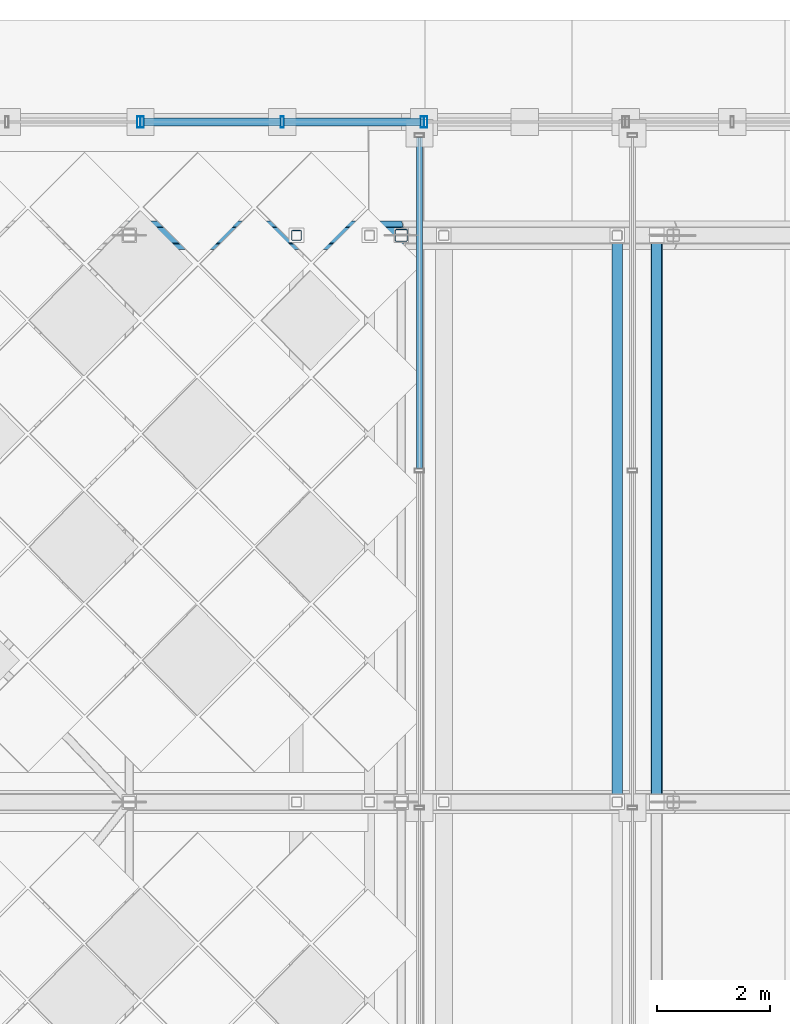
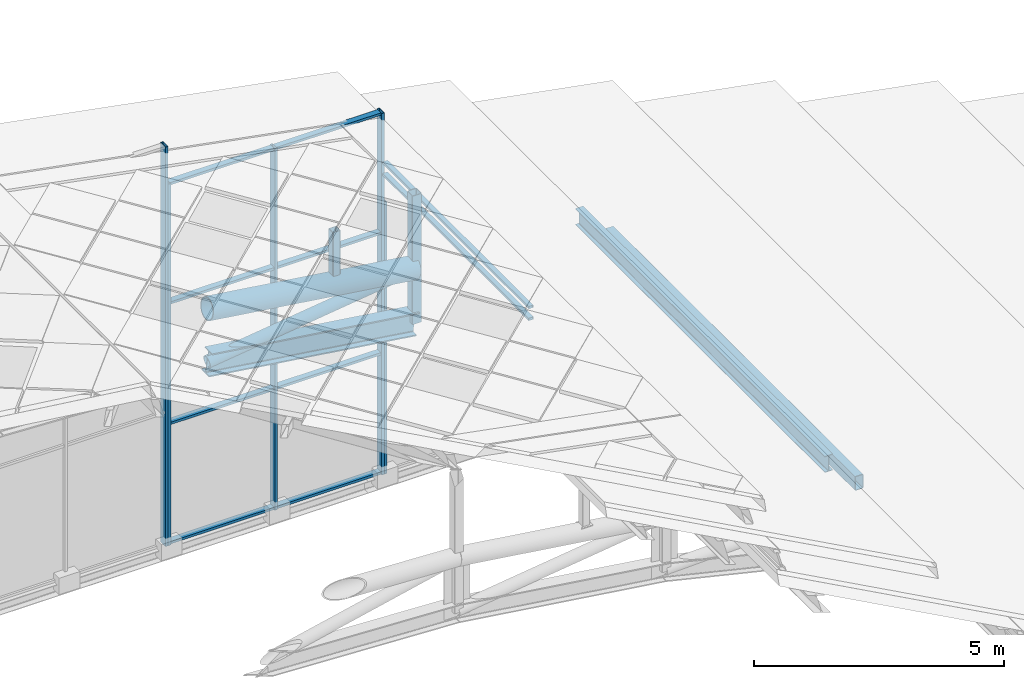
# One storey, part 39 of 117: 22 members, 4 elements without a shape of their own.
"""IFC4 building model written with IfcOpenShell, lengths in metres."""

from ifc_helpers import new_model, si_unit, direction, frame, origin, origin_2d, place, context, subcontext, project, spatial, hollow_rectangle, hollow_circle, i_section, extrude, material, material_profile, profile_set, type_object, element, aggregate, save


model = new_model("IFC4")

# Units and contexts
model_context = context("Model", 3, precision=1e-05, world=origin(), true_north=direction((0.0, 1.0)))
body_context = subcontext(model_context, "Body", "Model", "MODEL_VIEW")
ifc_project = project(units=[si_unit("LENGTHUNIT", "METRE"), si_unit("AREAUNIT", "SQUARE_METRE"), si_unit("VOLUMEUNIT", "CUBIC_METRE"), si_unit("PLANEANGLEUNIT", "RADIAN"), si_unit("MASSUNIT", "GRAM", prefix="KILO")], contexts=[model_context])

# Site, building, storey
site_placement = place(None, origin())
site = spatial("IfcSite", under=ifc_project, at=site_placement, CompositionType="ELEMENT")
building_placement = place(site_placement, origin())
building = spatial("IfcBuilding", under=site, at=building_placement, Name="Merenkruunu Market Hall", CompositionType="ELEMENT")
storey_placement = place(building_placement, frame((0.0, 0.0, 22.800048828125)))
storey = spatial("IfcBuildingStorey", under=building, at=storey_placement, Name="RF", CompositionType="ELEMENT", Elevation=22.800048828125)

# Members
ifc_material_1 = material(Name="Steel S355ML", Category="steel")
ifc_material_profile_1 = material_profile(ifc_material_1, hollow_circle(Radius=0.25390625, WallThickness=0.02001953125, at=origin_2d()), Name="CHS 508x20")
ifc_profile_set_1 = profile_set([ifc_material_profile_1], Name="Steel S355ML")
member_type_1 = type_object("IfcMemberType", Name="Arch Truss Chord TC01", PredefinedType="CHORD", material=ifc_profile_set_1)
member_1_placement = place(storey_placement, frame((33.60009765625, 109.60009765625, -1.66796875), z_axis=(0.99033759622, 0.0, -0.138677487406), x_axis=(0.0, 1.0, 0.0)))
element("IfcMember", 1, at=member_1_placement, inside=storey, type_object=member_type_1, Name="TRUSS-AT-G-TOP-08", PredefinedType="CHORD", context=body_context, shape_type="SweptSolid", body=[
    extrude(hollow_circle(Radius=0.25390625, WallThickness=0.02001953125, at=origin_2d()), origin(), (0.0, 0.0, 1.0), 4.8466796875),
])
ifc_material_profile_2 = material_profile(ifc_material_1, i_section(OverallWidth=0.300048828125, OverallDepth=0.550048828125, WebThickness=0.014892578125, FlangeThickness=0.029052734375, FilletRadius=0.027099609375, at=origin_2d()), Name="HEB 550")
ifc_profile_set_2 = profile_set([ifc_material_profile_2], Name="Steel S355ML")
member_type_2 = type_object("IfcMemberType", Name="Arch Truss Chord TC03", PredefinedType="CHORD", material=ifc_profile_set_2)
member_2_placement = place(storey_placement, frame((33.60009765625, 109.60009765625, -2.968017578125), z_axis=(0.99033759622, 0.0, -0.138677487406), x_axis=(0.0, 1.0, 0.0)))
element("IfcMember", 2, at=member_2_placement, inside=storey, type_object=member_type_2, Name="TRUSS-AT-G-BOT-08", PredefinedType="CHORD", context=body_context, shape_type="SweptSolid", body=[
    extrude(i_section(OverallWidth=0.300048828125, OverallDepth=0.550048828125, WebThickness=0.014892578125, FlangeThickness=0.029052734375, FilletRadius=0.027099609375, at=origin_2d()), origin(), (0.0, 0.0, 1.0), 4.8466796875),
])

# Curtain wall, member
ifc_material_2 = material(Name="Powder-coated aluminium", Category="aluminium")
curtain_wall_type_1 = type_object("IfcCurtainWallType", Name="Glazed Curtain Wall CW18", PredefinedType="USERDEFINED", material=ifc_material_2)
curtain_wall_1_placement = place(storey_placement, origin())
curtain_wall_1 = element("IfcCurtainWall", 3, at=curtain_wall_1_placement, inside=storey, type_object=curtain_wall_type_1, Name="CW-RF-CWM03-074", ObjectType="GLAZED_FACADE", PredefinedType="USERDEFINED")
ifc_material_profile_3 = material_profile(ifc_material_2, hollow_rectangle(XDim=0.06005859375, YDim=0.199951171875, WallThickness=0.0048828125, at=origin_2d()), Name="ALU 60x200x5")
ifc_profile_set_3 = profile_set([ifc_material_profile_3], Name="Powder-coated aluminium")
member_type_3 = type_object("IfcMemberType", Name="Curtain Wall Mullion CWM03", PredefinedType="MULLION", material=ifc_profile_set_3)
member_3_placement = place(storey_placement, frame((33.77001953125, 111.60009765625, -8.68994140625), z_axis=(0.0, 0.0, 1.0), x_axis=(1.0, 0.0, 0.0)))
member_3 = element("IfcMember", 4, at=member_3_placement, type_object=member_type_3, Name="CW18 mullion 3", PredefinedType="MULLION", context=body_context, shape_type="SweptSolid", body=[
    extrude(hollow_rectangle(XDim=0.06005859375, YDim=0.199951171875, WallThickness=0.0048828125, at=origin_2d()), origin(), (0.0, 0.0, 1.0), 9.769775390625),
])
aggregate(curtain_wall_1, [member_3])

# Curtain wall, members
curtain_wall_2_placement = place(storey_placement, origin())
curtain_wall_2 = element("IfcCurtainWall", 5, at=curtain_wall_2_placement, inside=storey, type_object=curtain_wall_type_1, Name="CW-RF-CWM03-075", ObjectType="GLAZED_FACADE", PredefinedType="USERDEFINED")
member_4_placement = place(storey_placement, frame((33.830078125, 111.60009765625, -8.68994140625), z_axis=(0.0, 0.0, 1.0), x_axis=(1.0, 0.0, 0.0)))
member_4 = element("IfcMember", 6, at=member_4_placement, type_object=member_type_3, Name="CW18 mullion 1", PredefinedType="MULLION", context=body_context, shape_type="SweptSolid", body=[
    extrude(hollow_rectangle(XDim=0.06005859375, YDim=0.199951171875, WallThickness=0.0048828125, at=origin_2d()), origin(), (0.0, 0.0, 1.0), 8.83984375),
])
member_5_placement = place(storey_placement, frame((36.300048828125, 111.60009765625, -8.68994140625), z_axis=(0.0, 0.0, 1.0), x_axis=(1.0, 0.0, 0.0)))
member_5 = element("IfcMember", 7, at=member_5_placement, type_object=member_type_3, Name="CW18 mullion 2", PredefinedType="MULLION", context=body_context, shape_type="SweptSolid", body=[
    extrude(hollow_rectangle(XDim=0.06005859375, YDim=0.199951171875, WallThickness=0.0048828125, at=origin_2d()), origin(), (0.0, 0.0, 1.0), 8.83984375),
])
member_6_placement = place(storey_placement, frame((38.77001953125, 111.60009765625, -8.68994140625), z_axis=(0.0, 0.0, 1.0), x_axis=(1.0, 0.0, 0.0)))
member_6 = element("IfcMember", 8, at=member_6_placement, type_object=member_type_3, Name="CW18 mullion 3", PredefinedType="MULLION", context=body_context, shape_type="SweptSolid", body=[
    extrude(hollow_rectangle(XDim=0.06005859375, YDim=0.199951171875, WallThickness=0.0048828125, at=origin_2d()), origin(), (0.0, 0.0, 1.0), 8.83984375),
])

# Curtain wall, member
curtain_wall_3_placement = place(storey_placement, origin())
curtain_wall_3 = element("IfcCurtainWall", 9, at=curtain_wall_3_placement, inside=storey, type_object=curtain_wall_type_1, Name="CW-RF-CWM03-076", ObjectType="GLAZED_FACADE", PredefinedType="USERDEFINED")
member_7_placement = place(storey_placement, frame((38.830078125, 111.60009765625, -8.68994140625), z_axis=(0.0, 0.0, 1.0), x_axis=(1.0, 0.0, 0.0)))
member_7 = element("IfcMember", 10, at=member_7_placement, type_object=member_type_3, Name="CW18 mullion 1", PredefinedType="MULLION", context=body_context, shape_type="SweptSolid", body=[
    extrude(hollow_rectangle(XDim=0.06005859375, YDim=0.199951171875, WallThickness=0.0048828125, at=origin_2d()), origin(), (0.0, 0.0, 1.0), 6.64990234375),
])
aggregate(curtain_wall_3, [member_7])

# Member
ifc_material_profile_4 = material_profile(ifc_material_2, hollow_rectangle(XDim=0.06005859375, YDim=0.139892578125, WallThickness=0.00390625, at=origin_2d()), Name="ALU 60x140x4")
ifc_profile_set_4 = profile_set([ifc_material_profile_4], Name="Powder-coated aluminium")
member_type_4 = type_object("IfcMemberType", Name="Curtain Wall Transom CWT02", PredefinedType="USERDEFINED", material=ifc_profile_set_4)
member_8_placement = place(storey_placement, frame((33.860107421875, 111.60009765625, -8.66015625), z_axis=(1.0, 0.0, 0.0), x_axis=(0.0, 0.0, 1.0)))
member_8 = element("IfcMember", 11, at=member_8_placement, type_object=member_type_4, Name="CW18 transom 1.1", ObjectType="TRANSOM", PredefinedType="USERDEFINED", context=body_context, shape_type="SweptSolid", body=[
    extrude(hollow_rectangle(XDim=0.06005859375, YDim=0.139892578125, WallThickness=0.00390625, at=origin_2d()), origin(), (0.0, 0.0, 1.0), 2.409912109375),
])

member_9_placement = place(storey_placement, frame((33.860107421875, 111.60009765625, -5.7431640625), z_axis=(1.0, 0.0, 0.0), x_axis=(0.0, 0.0, 1.0)))
member_9 = element("IfcMember", 12, at=member_9_placement, type_object=member_type_4, Name="CW18 transom 1.2", ObjectType="TRANSOM", PredefinedType="USERDEFINED", context=body_context, shape_type="SweptSolid", body=[
    extrude(hollow_rectangle(XDim=0.06005859375, YDim=0.139892578125, WallThickness=0.00390625, at=origin_2d()), origin(), (0.0, 0.0, 1.0), 2.409912109375),
])

member_10_placement = place(storey_placement, frame((33.860107421875, 111.60009765625, -2.797119140625), z_axis=(1.0, 0.0, 0.0), x_axis=(0.0, 0.0, 1.0)))
member_10 = element("IfcMember", 13, at=member_10_placement, type_object=member_type_4, Name="CW18 transom 1.3", ObjectType="TRANSOM", PredefinedType="USERDEFINED", context=body_context, shape_type="SweptSolid", body=[
    extrude(hollow_rectangle(XDim=0.06005859375, YDim=0.139892578125, WallThickness=0.00390625, at=origin_2d()), origin(), (0.0, 0.0, 1.0), 2.409912109375),
])

member_11_placement = place(storey_placement, frame((33.860107421875, 111.60009765625, 0.119873046875), z_axis=(1.0, 0.0, 0.0), x_axis=(0.0, 0.0, 1.0)))
member_11 = element("IfcMember", 14, at=member_11_placement, type_object=member_type_4, Name="CW18 transom 1.4", ObjectType="TRANSOM", PredefinedType="USERDEFINED", context=body_context, shape_type="SweptSolid", body=[
    extrude(hollow_rectangle(XDim=0.06005859375, YDim=0.139892578125, WallThickness=0.00390625, at=origin_2d()), origin(), (0.0, 0.0, 1.0), 2.409912109375),
])

member_12_placement = place(storey_placement, frame((36.330078125, 111.60009765625, -8.66015625), z_axis=(1.0, 0.0, 0.0), x_axis=(0.0, 0.0, 1.0)))
member_12 = element("IfcMember", 15, at=member_12_placement, type_object=member_type_4, Name="CW18 transom 2.1", ObjectType="TRANSOM", PredefinedType="USERDEFINED", context=body_context, shape_type="SweptSolid", body=[
    extrude(hollow_rectangle(XDim=0.06005859375, YDim=0.139892578125, WallThickness=0.00390625, at=origin_2d()), origin(), (0.0, 0.0, 1.0), 2.409912109375),
])

member_13_placement = place(storey_placement, frame((36.330078125, 111.60009765625, -5.7431640625), z_axis=(1.0, 0.0, 0.0), x_axis=(0.0, 0.0, 1.0)))
member_13 = element("IfcMember", 16, at=member_13_placement, type_object=member_type_4, Name="CW18 transom 2.2", ObjectType="TRANSOM", PredefinedType="USERDEFINED", context=body_context, shape_type="SweptSolid", body=[
    extrude(hollow_rectangle(XDim=0.06005859375, YDim=0.139892578125, WallThickness=0.00390625, at=origin_2d()), origin(), (0.0, 0.0, 1.0), 2.409912109375),
])

member_14_placement = place(storey_placement, frame((36.330078125, 111.60009765625, -2.797119140625), z_axis=(1.0, 0.0, 0.0), x_axis=(0.0, 0.0, 1.0)))
member_14 = element("IfcMember", 17, at=member_14_placement, type_object=member_type_4, Name="CW18 transom 2.3", ObjectType="TRANSOM", PredefinedType="USERDEFINED", context=body_context, shape_type="SweptSolid", body=[
    extrude(hollow_rectangle(XDim=0.06005859375, YDim=0.139892578125, WallThickness=0.00390625, at=origin_2d()), origin(), (0.0, 0.0, 1.0), 2.409912109375),
])

member_15_placement = place(storey_placement, frame((36.330078125, 111.60009765625, 0.119873046875), z_axis=(1.0, 0.0, 0.0), x_axis=(0.0, 0.0, 1.0)))
member_15 = element("IfcMember", 18, at=member_15_placement, type_object=member_type_4, Name="CW18 transom 2.4", ObjectType="TRANSOM", PredefinedType="USERDEFINED", context=body_context, shape_type="SweptSolid", body=[
    extrude(hollow_rectangle(XDim=0.06005859375, YDim=0.139892578125, WallThickness=0.00390625, at=origin_2d()), origin(), (0.0, 0.0, 1.0), 2.409912109375),
])

aggregate(curtain_wall_2, [member_4, member_5, member_6, member_8, member_9, member_10, member_11, member_12, member_13, member_14, member_15])

# Curtain wall, members
curtain_wall_type_2 = type_object("IfcCurtainWallType", Name="Clerestory Curtain Band CL05", PredefinedType="USERDEFINED", material=ifc_material_2)
curtain_wall_4_placement = place(storey_placement, origin())
curtain_wall_4 = element("IfcCurtainWall", 19, at=curtain_wall_4_placement, inside=storey, type_object=curtain_wall_type_2, Name="CW-RF-CWM04-120", ObjectType="CLERESTORY_BAND", PredefinedType="USERDEFINED")
ifc_material_profile_5 = material_profile(ifc_material_2, hollow_rectangle(XDim=0.06005859375, YDim=0.110107421875, WallThickness=0.00390625, at=origin_2d()), Name="ALU 60x110x4")
ifc_profile_set_5 = profile_set([ifc_material_profile_5], Name="Powder-coated aluminium")
member_type_5 = type_object("IfcMemberType", Name="Curtain Wall Transom CWT03", PredefinedType="USERDEFINED", material=ifc_profile_set_5)
member_16_placement = place(storey_placement, frame((38.719970703125, 111.330078125, -1.212158203125), z_axis=(0.0, -1.0, 0.0), x_axis=(0.0, 0.0, 1.0)))
member_16 = element("IfcMember", 20, at=member_16_placement, type_object=member_type_5, Name="CL05 transom 1.1", ObjectType="TRANSOM", PredefinedType="USERDEFINED", context=body_context, shape_type="SweptSolid", body=[
    extrude(hollow_rectangle(XDim=0.06005859375, YDim=0.110107421875, WallThickness=0.00390625, at=origin_2d()), origin(), (0.0, 0.0, 1.0), 5.844970703125),
])
member_17_placement = place(storey_placement, frame((38.719970703125, 111.330078125, -0.924072265625), z_axis=(0.0, -1.0, 0.0), x_axis=(0.0, 0.0, 1.0)))
member_17 = element("IfcMember", 21, at=member_17_placement, type_object=member_type_5, Name="CL05 transom 1.2", ObjectType="TRANSOM", PredefinedType="USERDEFINED", context=body_context, shape_type="SweptSolid", body=[
    extrude(hollow_rectangle(XDim=0.06005859375, YDim=0.110107421875, WallThickness=0.00390625, at=origin_2d()), origin(), (0.0, 0.0, 1.0), 5.844970703125),
])
aggregate(curtain_wall_4, [member_16, member_17])

# Members
ifc_material_profile_6 = material_profile(ifc_material_1, hollow_circle(Radius=0.136474609375, WallThickness=0.012451171875, at=origin_2d()), Name="CHS 273x12.5")
ifc_profile_set_6 = profile_set([ifc_material_profile_6], Name="Steel S355ML")
member_type_6 = type_object("IfcMemberType", Name="Diagonal Sway Brace BR02", PredefinedType="BRACE", material=ifc_profile_set_6)
member_18_placement = place(storey_placement, frame((33.60009765625, 109.60009765625, -2.968017578125), z_axis=(0.99155084109, 0.0, 0.129718655304), x_axis=(0.0, 1.0, 0.0)))
element("IfcMember", 22, at=member_18_placement, inside=storey, type_object=member_type_6, Name="TRUSS-AT-G-DIAG-08", PredefinedType="BRACE", context=body_context, shape_type="SweptSolid", body=[
    extrude(hollow_circle(Radius=0.136474609375, WallThickness=0.012451171875, at=origin_2d()), origin(), (0.0, 0.0, 1.0), 4.8408203125),
])
ifc_material_3 = material(Name="Steel S355J2", Category="steel")
ifc_material_profile_7 = material_profile(ifc_material_3, hollow_rectangle(XDim=0.219970703125, YDim=0.219970703125, WallThickness=0.012451171875, InnerFilletRadius=0.012451171875, OuterFilletRadius=0.02490234375, at=origin_2d()), Name="SHS 220x220x12.5")
ifc_profile_set_7 = profile_set([ifc_material_profile_7], Name="Steel S355J2")
member_type_7 = type_object("IfcMemberType", Name="Diagonal Sway Brace BR04", PredefinedType="BRACE", material=ifc_profile_set_7)
member_19_placement = place(storey_placement, frame((38.39990234375, 109.60009765625, -3.64013671875), z_axis=(0.0, 0.0, 1.0), x_axis=(1.0, 0.0, 0.0)))
element("IfcMember", 23, at=member_19_placement, inside=storey, type_object=member_type_7, Name="TRUSS-AT-G-POST-08", PredefinedType="BRACE", context=body_context, shape_type="SweptSolid", body=[
    extrude(hollow_rectangle(XDim=0.219970703125, YDim=0.219970703125, WallThickness=0.012451171875, InnerFilletRadius=0.012451171875, OuterFilletRadius=0.02490234375, at=origin_2d()), origin(), (0.0, 0.0, 1.0), 3.1416015625),
])
ifc_material_profile_8 = material_profile(ifc_material_3, hollow_rectangle(XDim=0.179931640625, YDim=0.179931640625, WallThickness=0.010009765625, InnerFilletRadius=0.010009765625, OuterFilletRadius=0.02001953125, at=origin_2d()), Name="SHS 180x180x10")
ifc_profile_set_8 = profile_set([ifc_material_profile_8], Name="Steel S355J2")
member_type_8 = type_object("IfcMemberType", Name="Diagonal Sway Brace BR05", PredefinedType="BRACE", material=ifc_profile_set_8)
member_20_placement = place(storey_placement, frame((36.550048828125, 109.60009765625, -1.839111328125), z_axis=(0.0, 0.0, 1.0), x_axis=(1.0, 0.0, 0.0)))
element("IfcMember", 24, at=member_20_placement, inside=storey, type_object=member_type_8, Name="TRUSS-AT-G-RISER-E6-2", PredefinedType="BRACE", context=body_context, shape_type="SweptSolid", body=[
    extrude(hollow_rectangle(XDim=0.179931640625, YDim=0.179931640625, WallThickness=0.010009765625, InnerFilletRadius=0.010009765625, OuterFilletRadius=0.02001953125, at=origin_2d()), origin(), (0.0, 0.0, 1.0), 1.07763671875),
])
ifc_material_profile_9 = material_profile(ifc_material_1, hollow_rectangle(XDim=0.199951171875, YDim=0.35009765625, WallThickness=0.012451171875, InnerFilletRadius=0.012451171875, OuterFilletRadius=0.02490234375, at=origin_2d()), Name="RHS 350x200x12.5")
ifc_profile_set_9 = profile_set([ifc_material_profile_9], Name="Steel S355ML")
member_type_9 = type_object("IfcMemberType", Name="Roof Purlin Rafter PR06", PredefinedType="PURLIN", material=ifc_profile_set_9)
member_21_placement = place(storey_placement, frame((42.909912109375, 99.60009765625, -3.10986328125), z_axis=(0.0, 1.0, 0.0), x_axis=(-1.0, 0.0, 0.0)))
element("IfcMember", 25, at=member_21_placement, inside=storey, type_object=member_type_9, Name="MEM-RF-PURL-E-128", PredefinedType="PURLIN", context=body_context, shape_type="SweptSolid", body=[
    extrude(hollow_rectangle(XDim=0.199951171875, YDim=0.35009765625, WallThickness=0.012451171875, InnerFilletRadius=0.012451171875, OuterFilletRadius=0.02490234375, at=origin_2d()), origin(), (0.0, 0.0, 1.0), 10.0),
])
ifc_material_profile_10 = material_profile(ifc_material_1, i_section(OverallWidth=0.179931640625, OverallDepth=0.39990234375, WebThickness=0.008544921875, FlangeThickness=0.013427734375, FilletRadius=0.02099609375, at=origin_2d()), Name="IPE 400")
ifc_profile_set_10 = profile_set([ifc_material_profile_10], Name="Steel S355ML")
member_type_10 = type_object("IfcMemberType", Name="Roof Purlin Rafter PR09", PredefinedType="PURLIN", material=ifc_profile_set_10)
member_22_placement = place(storey_placement, frame((42.2099609375, 99.60009765625, -2.400390625), z_axis=(0.0, 1.0, 0.0), x_axis=(-1.0, 0.0, 0.0)))
element("IfcMember", 26, at=member_22_placement, inside=storey, type_object=member_type_10, Name="MEM-RF-PURL-E-144", PredefinedType="PURLIN", context=body_context, shape_type="SweptSolid", body=[
    extrude(i_section(OverallWidth=0.179931640625, OverallDepth=0.39990234375, WebThickness=0.008544921875, FlangeThickness=0.013427734375, FilletRadius=0.02099609375, at=origin_2d()), origin(), (0.0, 0.0, 1.0), 10.0),
])

save(model, "model.ifc")
